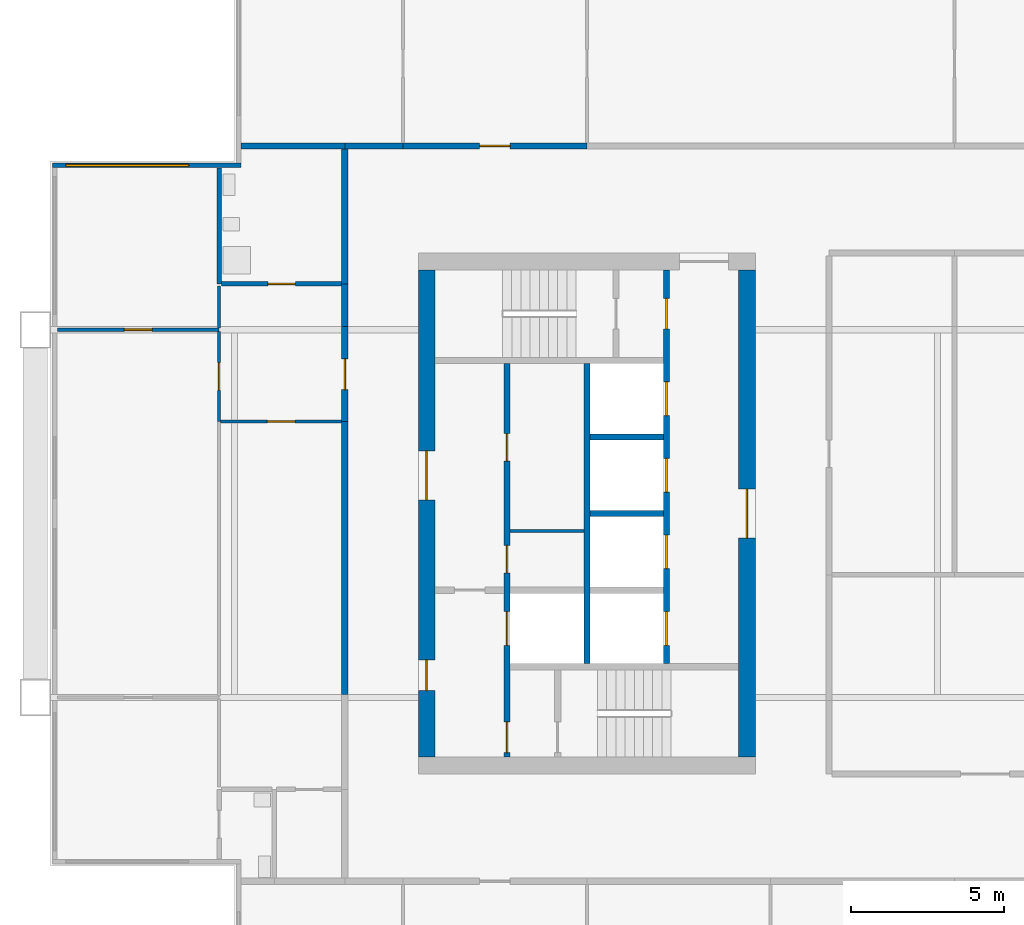
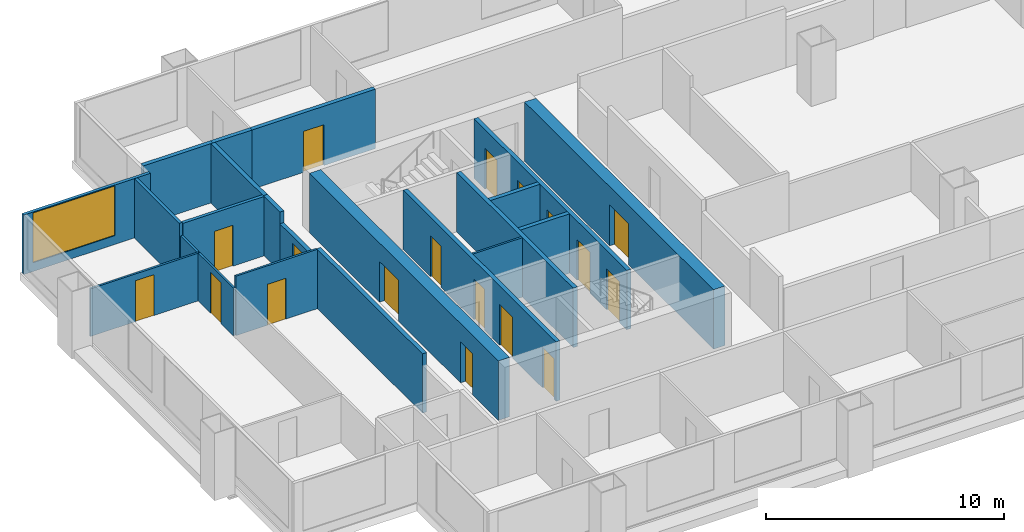
# One storey, part 3 of 8: 22 walls, 18 doors, 1 window, 19 openings.
"""IFC4 building model written with IfcOpenShell, lengths in metres."""

from ifc_helpers import new_model, si_unit, direction, frame, frame_2d, origin, place, context, subcontext, project, spatial, rectangle, extrude, material, layer, layer_set, type_object, element, fill, save


model = new_model("IFC4")

# Units and contexts
model_context = context("Model", 3, precision=1e-05, world=origin(), true_north=direction((0.0, 1.0)))
body_context = subcontext(model_context, "Body", "Model", "MODEL_VIEW")
ifc_project = project(units=[si_unit("LENGTHUNIT", "METRE"), si_unit("AREAUNIT", "SQUARE_METRE"), si_unit("VOLUMEUNIT", "CUBIC_METRE"), si_unit("PLANEANGLEUNIT", "RADIAN"), si_unit("MASSUNIT", "GRAM", prefix="KILO")], contexts=[model_context])

# Site, building, storey
site_placement = place(None, origin())
site = spatial("IfcSite", under=ifc_project, at=site_placement, CompositionType="ELEMENT")
building_placement = place(site_placement, origin())
building = spatial("IfcBuilding", under=site, at=building_placement, Name="Kitamizu Gate Tower and Museum", CompositionType="ELEMENT")
storey_placement = place(building_placement, frame((0.0, 0.0, 189.300048828125)))
storey = spatial("IfcBuildingStorey", under=building, at=storey_placement, Name="L50", CompositionType="ELEMENT", Elevation=189.300048828125)

# Wall, openings, doors
ifc_material_1 = material(Name="Concrete Fc42", Category="concrete")
ifc_layer_1 = layer(ifc_material_1, 0.550048828125)
ifc_layer_set_1 = layer_set([ifc_layer_1], Name="Concrete Fc42")
wall_type_1 = type_object("IfcWallType", Name="Core wall 550", PredefinedType="SHEAR", material=ifc_layer_set_1)
wall_1_placement = place(storey_placement, frame((12.77490234375, 22.050048828125, 0.0), z_axis=(0.0, 0.0, 1.0), x_axis=(0.0, 1.0, 0.0)))
wall_1 = element("IfcWall", 1, at=wall_1_placement, inside=storey, type_object=wall_type_1, Name="Core wall WOUT", PredefinedType="SHEAR", context=body_context, shape_type="SweptSolid", body=[
    extrude(rectangle(XDim=15.89990234375, YDim=0.550048828125, at=frame_2d((7.949951171875, 0.0))), origin(), (0.0, 0.0, 1.0), 3.050048828125),
])
opening_1_placement = place(wall_1_placement, frame((8.39990234375, 0.0, 0.0)))
opening_1 = element("IfcOpeningElement", 2, at=opening_1_placement, cuts=wall_1, Name="Opening L50-035", PredefinedType="OPENING", context=body_context, shape_type="SweptSolid", body=[
    extrude(rectangle(XDim=1.60009765625, YDim=2.10009765625, at=frame_2d((0.800048828125, 1.050048828125))), frame((0.0, 0.28515625, 0.0), z_axis=(0.0, -1.0, 0.0), x_axis=(1.0, 0.0, 0.0)), (0.0, 0.0, 1.0), 0.570068359375),
])
opening_2_placement = place(wall_1_placement, frame((2.175048828125, 0.0, 0.0)))
opening_2 = element("IfcOpeningElement", 3, at=opening_2_placement, cuts=wall_1, Name="Opening L50-036", PredefinedType="OPENING", context=body_context, shape_type="SweptSolid", body=[
    extrude(rectangle(XDim=1.0, YDim=2.10009765625, at=frame_2d((0.5, 1.050048828125))), frame((0.0, 0.28515625, 0.0), z_axis=(0.0, -1.0, 0.0), x_axis=(1.0, 0.0, 0.0)), (0.0, 0.0, 1.0), 0.570068359375),
])
ifc_material_2 = material(Name="Timber door set", Category="wood")
door_type_1 = type_object("IfcDoorType", Name="Entrance door 1600", OperationType="DOUBLE_DOOR_SINGLE_SWING", PredefinedType="DOOR", material=ifc_material_2)
door_1_placement = place(opening_1_placement, origin())
door_1 = element("IfcDoor", 4, at=door_1_placement, inside=storey, type_object=door_type_1, Name="Lobby door L50-035", OperationType="DOUBLE_DOOR_SINGLE_SWING", OverallHeight=2.10009765625, OverallWidth=1.60009765625, PredefinedType="DOOR", context=body_context, shape_type="SweptSolid", body=[
    extrude(rectangle(XDim=1.60009765625, YDim=2.10009765625, at=frame_2d((0.800048828125, 1.050048828125))), frame((0.0, 0.02490234375, 0.0), z_axis=(0.0, -1.0, 0.0), x_axis=(1.0, 0.0, 0.0)), (0.0, 0.0, 1.0), 0.050048828125),
])
fill(opening_1, door_1)
ifc_material_3 = material(Name="Hollow metal door set")
door_type_2 = type_object("IfcDoorType", Name="Fire door 1000", OperationType="NOTDEFINED", PredefinedType="DOOR", material=ifc_material_3)
door_2_placement = place(opening_2_placement, frame((1.0, 0.0, 0.0), x_axis=(-1.0, 0.0, 0.0)))
door_2 = element("IfcDoor", 5, at=door_2_placement, inside=storey, type_object=door_type_2, Name="Fire-fighting lobby door L50-036", OperationType="SINGLE_SWING_LEFT", OverallHeight=2.10009765625, OverallWidth=1.0, PredefinedType="DOOR", context=body_context, shape_type="SweptSolid", body=[
    extrude(rectangle(XDim=1.0, YDim=2.10009765625, at=frame_2d((0.5, 1.050048828125))), frame((0.0, 0.02490234375, 0.0), z_axis=(0.0, -1.0, 0.0), x_axis=(1.0, 0.0, 0.0)), (0.0, 0.0, 1.0), 0.050048828125),
])
fill(opening_2, door_2)

# Wall, opening, door
wall_2_placement = place(storey_placement, frame((23.22509765625, 22.050048828125, 0.0), z_axis=(0.0, 0.0, 1.0), x_axis=(0.0, 1.0, 0.0)))
wall_2 = element("IfcWall", 6, at=wall_2_placement, inside=storey, type_object=wall_type_1, Name="Core wall WARC", PredefinedType="SHEAR", context=body_context, shape_type="SweptSolid", body=[
    extrude(rectangle(XDim=15.89990234375, YDim=0.550048828125, at=frame_2d((7.949951171875, 0.0))), origin(), (0.0, 0.0, 1.0), 3.050048828125),
])
opening_3_placement = place(wall_2_placement, frame((7.14990234375, 0.0, 0.0)))
opening_3 = element("IfcOpeningElement", 7, at=opening_3_placement, cuts=wall_2, Name="Opening L50-038", PredefinedType="OPENING", context=body_context, shape_type="SweptSolid", body=[
    extrude(rectangle(XDim=1.60009765625, YDim=2.10009765625, at=frame_2d((0.800048828125, 1.050048828125))), frame((0.0, 0.28515625, 0.0), z_axis=(0.0, -1.0, 0.0), x_axis=(1.0, 0.0, 0.0)), (0.0, 0.0, 1.0), 0.570068359375),
])
door_3_placement = place(opening_3_placement, origin())
door_3 = element("IfcDoor", 8, at=door_3_placement, inside=storey, type_object=door_type_1, Name="Lobby door L50-038", OperationType="DOUBLE_DOOR_SINGLE_SWING", OverallHeight=2.10009765625, OverallWidth=1.60009765625, PredefinedType="DOOR", context=body_context, shape_type="SweptSolid", body=[
    extrude(rectangle(XDim=1.60009765625, YDim=2.10009765625, at=frame_2d((0.800048828125, 1.050048828125))), frame((0.0, 0.02490234375, 0.0), z_axis=(0.0, -1.0, 0.0), x_axis=(1.0, 0.0, 0.0)), (0.0, 0.0, 1.0), 0.050048828125),
])
fill(opening_3, door_3)

# Wall
ifc_material_4 = material(Name="Gypsum board on galvanised stud")
ifc_layer_2 = layer(ifc_material_4, 0.10009765625)
ifc_layer_set_2 = layer_set([ifc_layer_2], Name="Gypsum board on galvanised stud")
wall_type_2 = type_object("IfcWallType", Name="Partition 100", PredefinedType="PARTITIONING", material=ifc_layer_set_2)
wall_3_placement = place(storey_placement, frame((15.5, 29.425048828125, 0.0), z_axis=(0.0, 0.0, 1.0), x_axis=(1.0, 0.0, 0.0)))
element("IfcWall", 9, at=wall_3_placement, inside=storey, type_object=wall_type_2, Name="Partition WPF1", PredefinedType="PARTITIONING", context=body_context, shape_type="SweptSolid", body=[
    extrude(rectangle(XDim=2.39990234375, YDim=0.10009765625, at=frame_2d((1.199951171875, 0.0))), origin(), (0.0, 0.0, 1.0), 3.050048828125),
])

# Wall, opening, door
ifc_material_5 = material(Name="Gypsum board on galvanised stud")
ifc_layer_3 = layer(ifc_material_5, 0.10009765625)
ifc_layer_set_3 = layer_set([ifc_layer_3], Name="Gypsum board on galvanised stud")
wall_type_3 = type_object("IfcWallType", Name="Partition 100 NOT RATED", PredefinedType="PARTITIONING", material=ifc_layer_set_3)
wall_4_placement = place(storey_placement, frame((6.0, 36.0, 0.0), z_axis=(0.0, 0.0, 1.0), x_axis=(-1.0, 0.0, 0.0)))
wall_4 = element("IfcWall", 10, at=wall_4_placement, inside=storey, type_object=wall_type_3, Name="Partition L50-041", PredefinedType="PARTITIONING", context=body_context, shape_type="SweptSolid", body=[
    extrude(rectangle(XDim=5.280029296875, YDim=0.10009765625, at=frame_2d((2.64013671875, 0.0))), origin(), (0.0, 0.0, 1.0), 2.449951171875),
])
opening_4_placement = place(wall_4_placement, frame((2.18994140625, 0.0, 0.0)))
opening_4 = element("IfcOpeningElement", 11, at=opening_4_placement, cuts=wall_4, Name="Opening L50-021", PredefinedType="OPENING", context=body_context, shape_type="SweptSolid", body=[
    extrude(rectangle(XDim=0.89990234375, YDim=2.10009765625, at=frame_2d((0.449951171875, 1.050048828125))), frame((0.0, 0.06005859375, 0.0), z_axis=(0.0, -1.0, 0.0), x_axis=(1.0, 0.0, 0.0)), (0.0, 0.0, 1.0), 0.1201171875),
])
ifc_material_6 = material(Name="Timber door set", Category="wood")
door_type_3 = type_object("IfcDoorType", Name="Room door 900", OperationType="NOTDEFINED", PredefinedType="DOOR", material=ifc_material_6)
door_4_placement = place(opening_4_placement, frame((0.89990234375, 0.0, 0.0), x_axis=(-1.0, 0.0, 0.0)))
door_4 = element("IfcDoor", 12, at=door_4_placement, inside=storey, type_object=door_type_3, Name="Door L50-021", OperationType="SINGLE_SWING_LEFT", OverallHeight=2.10009765625, OverallWidth=0.89990234375, PredefinedType="DOOR", context=body_context, shape_type="SweptSolid", body=[
    extrude(rectangle(XDim=0.89990234375, YDim=2.10009765625, at=frame_2d((0.449951171875, 1.050048828125))), frame((0.0, 0.02490234375, 0.0), z_axis=(0.0, -1.0, 0.0), x_axis=(1.0, 0.0, 0.0)), (0.0, 0.0, 1.0), 0.050048828125),
])
fill(opening_4, door_4)

wall_5_placement = place(storey_placement, frame((6.0, 33.0, 0.0), z_axis=(0.0, 0.0, 1.0), x_axis=(0.0, 1.0, 0.0)))
wall_5 = element("IfcWall", 13, at=wall_5_placement, inside=storey, type_object=wall_type_3, Name="Partition L50-043", PredefinedType="PARTITIONING", context=body_context, shape_type="SweptSolid", body=[
    extrude(rectangle(XDim=2.949951171875, YDim=0.10009765625, at=frame_2d((1.47509765625, 0.0))), origin(), (0.0, 0.0, 1.0), 2.449951171875),
])
opening_5_placement = place(wall_5_placement, frame((1.02490234375, 0.0, 0.0)))
opening_5 = element("IfcOpeningElement", 14, at=opening_5_placement, cuts=wall_5, Name="Opening L50-017", PredefinedType="OPENING", context=body_context, shape_type="SweptSolid", body=[
    extrude(rectangle(XDim=0.89990234375, YDim=2.10009765625, at=frame_2d((0.449951171875, 1.050048828125))), frame((0.0, 0.06005859375, 0.0), z_axis=(0.0, -1.0, 0.0), x_axis=(1.0, 0.0, 0.0)), (0.0, 0.0, 1.0), 0.1201171875),
])
door_5_placement = place(opening_5_placement, origin())
door_5 = element("IfcDoor", 15, at=door_5_placement, inside=storey, type_object=door_type_3, Name="Door L50-017", OperationType="SINGLE_SWING_LEFT", OverallHeight=2.10009765625, OverallWidth=0.89990234375, PredefinedType="DOOR", context=body_context, shape_type="SweptSolid", body=[
    extrude(rectangle(XDim=0.89990234375, YDim=2.10009765625, at=frame_2d((0.449951171875, 1.050048828125))), frame((0.0, 0.02490234375, 0.0), z_axis=(0.0, -1.0, 0.0), x_axis=(1.0, 0.0, 0.0)), (0.0, 0.0, 1.0), 0.050048828125),
])
fill(opening_5, door_5)

# Wall
wall_6_placement = place(storey_placement, frame((6.0, 36.050048828125, 0.0), z_axis=(0.0, 0.0, 1.0), x_axis=(0.0, 1.0, 0.0)))
element("IfcWall", 16, at=wall_6_placement, inside=storey, type_object=wall_type_3, Name="Partition L50-044", PredefinedType="PARTITIONING", context=body_context, shape_type="SweptSolid", body=[
    extrude(rectangle(XDim=1.375, YDim=0.10009765625, at=frame_2d((0.6875, 0.0))), origin(), (0.0, 0.0, 1.0), 2.449951171875),
])

# Wall, opening, door
wall_7_placement = place(storey_placement, frame((10.0, 33.0, 0.0), z_axis=(0.0, 0.0, 1.0), x_axis=(-1.0, 0.0, 0.0)))
wall_7 = element("IfcWall", 17, at=wall_7_placement, inside=storey, type_object=wall_type_3, Name="Partition L50-050", PredefinedType="PARTITIONING", context=body_context, shape_type="SweptSolid", body=[
    extrude(rectangle(XDim=3.949951171875, YDim=0.10009765625, at=frame_2d((1.97509765625, 0.0))), origin(), (0.0, 0.0, 1.0), 3.050048828125),
])
opening_6_placement = place(wall_7_placement, frame((1.52490234375, 0.0, 0.0)))
opening_6 = element("IfcOpeningElement", 18, at=opening_6_placement, cuts=wall_7, Name="Opening L50-018", PredefinedType="OPENING", context=body_context, shape_type="SweptSolid", body=[
    extrude(rectangle(XDim=0.89990234375, YDim=2.10009765625, at=frame_2d((0.449951171875, 1.050048828125))), frame((0.0, 0.06005859375, 0.0), z_axis=(0.0, -1.0, 0.0), x_axis=(1.0, 0.0, 0.0)), (0.0, 0.0, 1.0), 0.1201171875),
])
door_6_placement = place(opening_6_placement, frame((0.89990234375, 0.0, 0.0), x_axis=(-1.0, 0.0, 0.0)))
door_6 = element("IfcDoor", 19, at=door_6_placement, inside=storey, type_object=door_type_3, Name="Door L50-018", OperationType="SINGLE_SWING_RIGHT", OverallHeight=2.10009765625, OverallWidth=0.89990234375, PredefinedType="DOOR", context=body_context, shape_type="SweptSolid", body=[
    extrude(rectangle(XDim=0.89990234375, YDim=2.10009765625, at=frame_2d((0.449951171875, 1.050048828125))), frame((0.0, 0.02490234375, 0.0), z_axis=(0.0, -1.0, 0.0), x_axis=(1.0, 0.0, 0.0)), (0.0, 0.0, 1.0), 0.050048828125),
])
fill(opening_6, door_6)

# Wall
ifc_material_7 = material(Name="Gypsum board on galvanised stud")
ifc_layer_4 = layer(ifc_material_7, 0.14990234375)
ifc_layer_set_4 = layer_set([ifc_layer_4], Name="Gypsum board on galvanised stud")
wall_type_4 = type_object("IfcWallType", Name="Partition 150", PredefinedType="PARTITIONING", material=ifc_layer_set_4)
wall_8_placement = place(storey_placement, frame((6.0, 37.5, 0.0), z_axis=(0.0, 0.0, 1.0), x_axis=(0.0, 1.0, 0.0)))
element("IfcWall", 20, at=wall_8_placement, inside=storey, type_object=wall_type_4, Name="Partition L50-045", PredefinedType="PARTITIONING", context=body_context, shape_type="SweptSolid", body=[
    extrude(rectangle(XDim=3.780029296875, YDim=0.14990234375, at=frame_2d((1.89013671875, 0.0))), origin(), (0.0, 0.0, 1.0), 3.050048828125),
])

# Wall, opening, door
wall_9_placement = place(storey_placement, frame((10.0, 37.5, 0.0), z_axis=(0.0, 0.0, 1.0), x_axis=(-1.0, 0.0, 0.0)))
wall_9 = element("IfcWall", 21, at=wall_9_placement, inside=storey, type_object=wall_type_4, Name="Partition L50-053", PredefinedType="PARTITIONING", context=body_context, shape_type="SweptSolid", body=[
    extrude(rectangle(XDim=3.925048828125, YDim=0.14990234375, at=frame_2d((1.96240234375, 0.0))), origin(), (0.0, 0.0, 1.0), 3.050048828125),
])
opening_7_placement = place(wall_9_placement, frame((1.512451171875, 0.0, 0.0)))
opening_7 = element("IfcOpeningElement", 22, at=opening_7_placement, cuts=wall_9, Name="Opening L50-020", PredefinedType="OPENING", context=body_context, shape_type="SweptSolid", body=[
    extrude(rectangle(XDim=0.89990234375, YDim=2.10009765625, at=frame_2d((0.449951171875, 1.050048828125))), frame((0.0, 0.0849609375, 0.0), z_axis=(0.0, -1.0, 0.0), x_axis=(1.0, 0.0, 0.0)), (0.0, 0.0, 1.0), 0.169921875),
])
ifc_material_8 = material(Name="Timber door set", Category="wood")
door_type_4 = type_object("IfcDoorType", Name="Bathroom door 900", OperationType="NOTDEFINED", PredefinedType="DOOR", material=ifc_material_8)
door_7_placement = place(opening_7_placement, frame((0.89990234375, 0.0, 0.0), x_axis=(-1.0, 0.0, 0.0)))
door_7 = element("IfcDoor", 23, at=door_7_placement, inside=storey, type_object=door_type_4, Name="Bathroom door L50-020", OperationType="SINGLE_SWING_RIGHT", OverallHeight=2.10009765625, OverallWidth=0.89990234375, PredefinedType="DOOR", context=body_context, shape_type="SweptSolid", body=[
    extrude(rectangle(XDim=0.89990234375, YDim=2.10009765625, at=frame_2d((0.449951171875, 1.050048828125))), frame((0.0, 0.02490234375, 0.0), z_axis=(0.0, -1.0, 0.0), x_axis=(1.0, 0.0, 0.0)), (0.0, 0.0, 1.0), 0.050048828125),
])
fill(opening_7, door_7)

# Walls
ifc_material_9 = material(Name="Gypsum board on galvanised stud")
ifc_layer_5 = layer(ifc_material_9, 0.199951171875)
ifc_layer_set_5 = layer_set([ifc_layer_5], Name="Gypsum board on galvanised stud")
wall_type_5 = type_object("IfcWallType", Name="Partition 200", PredefinedType="PARTITIONING", material=ifc_layer_set_5)
wall_10_placement = place(storey_placement, frame((6.719970703125, 42.0, 0.0), z_axis=(0.0, 0.0, 1.0), x_axis=(1.0, 0.0, 0.0)))
element("IfcWall", 24, at=wall_10_placement, inside=storey, type_object=wall_type_5, Name="Partition L50-024", PredefinedType="PARTITIONING", context=body_context, shape_type="SweptSolid", body=[
    extrude(rectangle(XDim=3.380126953125, YDim=0.199951171875, at=frame_2d((1.68994140625, 0.0))), origin(), (0.0, 0.0, 1.0), 3.050048828125),
])
wall_11_placement = place(storey_placement, frame((10.10009765625, 42.0, 0.0), z_axis=(0.0, 0.0, 1.0), x_axis=(1.0, 0.0, 0.0)))
element("IfcWall", 25, at=wall_11_placement, inside=storey, type_object=wall_type_5, Name="Partition L50-025", PredefinedType="PARTITIONING", context=body_context, shape_type="SweptSolid", body=[
    extrude(rectangle(XDim=1.89990234375, YDim=0.199951171875, at=frame_2d((0.949951171875, 0.0))), origin(), (0.0, 0.0, 1.0), 3.050048828125),
])

# Wall, opening, door
wall_12_placement = place(storey_placement, frame((12.0, 42.0, 0.0), z_axis=(0.0, 0.0, 1.0), x_axis=(1.0, 0.0, 0.0)))
wall_12 = element("IfcWall", 26, at=wall_12_placement, inside=storey, type_object=wall_type_5, Name="Partition L50-027", PredefinedType="PARTITIONING", context=body_context, shape_type="SweptSolid", body=[
    extrude(rectangle(XDim=6.0, YDim=0.199951171875, at=frame_2d((3.0, 0.0))), origin(), (0.0, 0.0, 1.0), 3.050048828125),
])
opening_8_placement = place(wall_12_placement, frame((2.5, 0.0, 0.0)))
opening_8 = element("IfcOpeningElement", 27, at=opening_8_placement, cuts=wall_12, Name="Opening L50-010", PredefinedType="OPENING", context=body_context, shape_type="SweptSolid", body=[
    extrude(rectangle(XDim=1.0, YDim=2.10009765625, at=frame_2d((0.5, 1.050048828125))), frame((0.0, 0.10986328125, 0.0), z_axis=(0.0, -1.0, 0.0), x_axis=(1.0, 0.0, 0.0)), (0.0, 0.0, 1.0), 0.219970703125),
])
ifc_material_10 = material(Name="Timber door set", Category="wood")
door_type_5 = type_object("IfcDoorType", Name="Flat entrance door 1000", OperationType="NOTDEFINED", PredefinedType="DOOR", material=ifc_material_10)
door_8_placement = place(opening_8_placement, origin())
door_8 = element("IfcDoor", 28, at=door_8_placement, inside=storey, type_object=door_type_5, Name="Flat entrance door L50-010", OperationType="SINGLE_SWING_LEFT", OverallHeight=2.10009765625, OverallWidth=1.0, PredefinedType="DOOR", context=body_context, shape_type="SweptSolid", body=[
    extrude(rectangle(XDim=1.0, YDim=2.10009765625, at=frame_2d((0.5, 1.050048828125))), frame((0.0, 0.02490234375, 0.0), z_axis=(0.0, -1.0, 0.0), x_axis=(1.0, 0.0, 0.0)), (0.0, 0.0, 1.0), 0.050048828125),
])
fill(opening_8, door_8)

# Wall
wall_13_placement = place(storey_placement, frame((10.10009765625, 24.10009765625, 0.0), z_axis=(0.0, 0.0, 1.0), x_axis=(0.0, 1.0, 0.0)))
element("IfcWall", 29, at=wall_13_placement, inside=storey, type_object=wall_type_5, Name="Partition L50-052", PredefinedType="PARTITIONING", context=body_context, shape_type="SweptSolid", body=[
    extrude(rectangle(XDim=8.89990234375, YDim=0.199951171875, at=frame_2d((4.449951171875, 0.0))), origin(), (0.0, 0.0, 1.0), 3.050048828125),
])

# Wall, opening, door
wall_14_placement = place(storey_placement, frame((10.10009765625, 33.0, 0.0), z_axis=(0.0, 0.0, 1.0), x_axis=(0.0, 1.0, 0.0)))
wall_14 = element("IfcWall", 30, at=wall_14_placement, inside=storey, type_object=wall_type_5, Name="Partition L50-054", PredefinedType="PARTITIONING", context=body_context, shape_type="SweptSolid", body=[
    extrude(rectangle(XDim=3.10009765625, YDim=0.199951171875, at=frame_2d((1.550048828125, 0.0))), origin(), (0.0, 0.0, 1.0), 2.449951171875),
])
opening_9_placement = place(wall_14_placement, frame((1.050048828125, 0.0, 0.0)))
opening_9 = element("IfcOpeningElement", 31, at=opening_9_placement, cuts=wall_14, Name="Opening L50-016", PredefinedType="OPENING", context=body_context, shape_type="SweptSolid", body=[
    extrude(rectangle(XDim=1.0, YDim=2.10009765625, at=frame_2d((0.5, 1.050048828125))), frame((0.0, 0.10986328125, 0.0), z_axis=(0.0, -1.0, 0.0), x_axis=(1.0, 0.0, 0.0)), (0.0, 0.0, 1.0), 0.219970703125),
])
door_9_placement = place(opening_9_placement, origin())
door_9 = element("IfcDoor", 32, at=door_9_placement, inside=storey, type_object=door_type_5, Name="Flat entrance door L50-016", OperationType="SINGLE_SWING_RIGHT", OverallHeight=2.10009765625, OverallWidth=1.0, PredefinedType="DOOR", context=body_context, shape_type="SweptSolid", body=[
    extrude(rectangle(XDim=1.0, YDim=2.10009765625, at=frame_2d((0.5, 1.050048828125))), frame((0.0, 0.02490234375, 0.0), z_axis=(0.0, -1.0, 0.0), x_axis=(1.0, 0.0, 0.0)), (0.0, 0.0, 1.0), 0.050048828125),
])
fill(opening_9, door_9)

# Walls
wall_15_placement = place(storey_placement, frame((10.10009765625, 36.10009765625, 0.0), z_axis=(0.0, 0.0, 1.0), x_axis=(0.0, 1.0, 0.0)))
element("IfcWall", 33, at=wall_15_placement, inside=storey, type_object=wall_type_5, Name="Partition L50-055", PredefinedType="PARTITIONING", context=body_context, shape_type="SweptSolid", body=[
    extrude(rectangle(XDim=1.39990234375, YDim=0.199951171875, at=frame_2d((0.699951171875, 0.0))), origin(), (0.0, 0.0, 1.0), 3.050048828125),
])
wall_16_placement = place(storey_placement, frame((10.10009765625, 37.5, 0.0), z_axis=(0.0, 0.0, 1.0), x_axis=(0.0, 1.0, 0.0)))
element("IfcWall", 34, at=wall_16_placement, inside=storey, type_object=wall_type_5, Name="Partition L50-056", PredefinedType="PARTITIONING", context=body_context, shape_type="SweptSolid", body=[
    extrude(rectangle(XDim=4.39990234375, YDim=0.199951171875, at=frame_2d((2.199951171875, 0.0))), origin(), (0.0, 0.0, 1.0), 3.050048828125),
])

# Wall, openings, doors
ifc_material_11 = material(Name="Concrete Fc42", Category="concrete")
ifc_layer_6 = layer(ifc_material_11, 0.199951171875)
ifc_layer_set_6 = layer_set([ifc_layer_6], Name="Concrete Fc42")
wall_type_6 = type_object("IfcWallType", Name="Shaft wall 200", PredefinedType="SOLIDWALL", material=ifc_layer_set_6)
wall_17_placement = place(storey_placement, frame((15.39990234375, 22.050048828125, 0.0), z_axis=(0.0, 0.0, 1.0), x_axis=(0.0, 1.0, 0.0)))
wall_17 = element("IfcWall", 35, at=wall_17_placement, inside=storey, type_object=wall_type_6, Name="Shaft wall WWEST", PredefinedType="SOLIDWALL", context=body_context, shape_type="SweptSolid", body=[
    extrude(rectangle(XDim=12.849853515625, YDim=0.199951171875, at=frame_2d((6.4248046875, 0.0))), origin(), (0.0, 0.0, 1.0), 3.050048828125),
])
opening_10_placement = place(wall_17_placement, frame((3.64990234375, 0.0, 0.0)))
opening_10 = element("IfcOpeningElement", 36, at=opening_10_placement, cuts=wall_17, Name="Opening LD", PredefinedType="OPENING", context=body_context, shape_type="SweptSolid", body=[
    extrude(rectangle(XDim=1.10009765625, YDim=2.10009765625, at=frame_2d((0.550048828125, 1.050048828125))), frame((0.0, 0.10986328125, 0.0), z_axis=(0.0, -1.0, 0.0), x_axis=(1.0, 0.0, 0.0)), (0.0, 0.0, 1.0), 0.219970703125),
])
opening_11_placement = place(wall_17_placement, frame((0.14990234375, 0.0, 0.0)))
opening_11 = element("IfcOpeningElement", 37, at=opening_11_placement, cuts=wall_17, Name="Opening L50-031", PredefinedType="OPENING", context=body_context, shape_type="SweptSolid", body=[
    extrude(rectangle(XDim=1.0, YDim=2.10009765625, at=frame_2d((0.5, 1.050048828125))), frame((0.0, 0.10986328125, 0.0), z_axis=(0.0, -1.0, 0.0), x_axis=(1.0, 0.0, 0.0)), (0.0, 0.0, 1.0), 0.219970703125),
])
opening_12_placement = place(wall_17_placement, frame((6.012451171875, 0.0, 0.0)))
opening_12 = element("IfcOpeningElement", 38, at=opening_12_placement, cuts=wall_17, Name="Opening L50-039", PredefinedType="OPENING", context=body_context, shape_type="SweptSolid", body=[
    extrude(rectangle(XDim=0.89990234375, YDim=2.10009765625, at=frame_2d((0.449951171875, 1.050048828125))), frame((0.0, 0.10986328125, 0.0), z_axis=(0.0, -1.0, 0.0), x_axis=(1.0, 0.0, 0.0)), (0.0, 0.0, 1.0), 0.219970703125),
])
opening_13_placement = place(wall_17_placement, frame((9.66259765625, 0.0, 0.0)))
opening_13 = element("IfcOpeningElement", 39, at=opening_13_placement, cuts=wall_17, Name="Opening L50-040", PredefinedType="OPENING", context=body_context, shape_type="SweptSolid", body=[
    extrude(rectangle(XDim=0.89990234375, YDim=2.10009765625, at=frame_2d((0.449951171875, 1.050048828125))), frame((0.0, 0.10986328125, 0.0), z_axis=(0.0, -1.0, 0.0), x_axis=(1.0, 0.0, 0.0)), (0.0, 0.0, 1.0), 0.219970703125),
])
door_10_placement = place(opening_11_placement, frame((1.0, 0.0, 0.0), x_axis=(-1.0, 0.0, 0.0)))
door_10 = element("IfcDoor", 40, at=door_10_placement, inside=storey, type_object=door_type_2, Name="Stair lobby door L50-031", OperationType="SINGLE_SWING_LEFT", OverallHeight=2.10009765625, OverallWidth=1.0, PredefinedType="DOOR", context=body_context, shape_type="SweptSolid", body=[
    extrude(rectangle(XDim=1.0, YDim=2.10009765625, at=frame_2d((0.5, 1.050048828125))), frame((0.0, 0.02490234375, 0.0), z_axis=(0.0, -1.0, 0.0), x_axis=(1.0, 0.0, 0.0)), (0.0, 0.0, 1.0), 0.050048828125),
])
fill(opening_11, door_10)
ifc_material_12 = material(Name="Hollow metal door set")
door_type_6 = type_object("IfcDoorType", Name="Landing door 1100", OperationType="SLIDING_TO_LEFT", PredefinedType="DOOR", material=ifc_material_12)
door_11_placement = place(opening_10_placement, origin())
door_11 = element("IfcDoor", 41, at=door_11_placement, inside=storey, type_object=door_type_6, Name="Landing door WFF1", OperationType="SLIDING_TO_LEFT", OverallHeight=2.10009765625, OverallWidth=1.10009765625, PredefinedType="DOOR", context=body_context, shape_type="SweptSolid", body=[
    extrude(rectangle(XDim=1.10009765625, YDim=2.10009765625, at=frame_2d((0.550048828125, 1.050048828125))), frame((0.0, 0.02490234375, 0.0), z_axis=(0.0, -1.0, 0.0), x_axis=(1.0, 0.0, 0.0)), (0.0, 0.0, 1.0), 0.050048828125),
])
fill(opening_10, door_11)
ifc_material_13 = material(Name="Timber door set", Category="wood")
door_type_7 = type_object("IfcDoorType", Name="Service door 900", OperationType="NOTDEFINED", PredefinedType="DOOR", material=ifc_material_13)
door_12_placement = place(opening_12_placement, frame((0.89990234375, 0.0, 0.0), x_axis=(-1.0, 0.0, 0.0)))
door_12 = element("IfcDoor", 42, at=door_12_placement, inside=storey, type_object=door_type_7, Name="Service door L50-039", OperationType="SINGLE_SWING_RIGHT", OverallHeight=2.10009765625, OverallWidth=0.89990234375, PredefinedType="DOOR", context=body_context, shape_type="SweptSolid", body=[
    extrude(rectangle(XDim=0.89990234375, YDim=2.10009765625, at=frame_2d((0.449951171875, 1.050048828125))), frame((0.0, 0.02490234375, 0.0), z_axis=(0.0, -1.0, 0.0), x_axis=(1.0, 0.0, 0.0)), (0.0, 0.0, 1.0), 0.050048828125),
])
fill(opening_12, door_12)
door_13_placement = place(opening_13_placement, frame((0.89990234375, 0.0, 0.0), x_axis=(-1.0, 0.0, 0.0)))
door_13 = element("IfcDoor", 43, at=door_13_placement, inside=storey, type_object=door_type_7, Name="Service door L50-040", OperationType="SINGLE_SWING_LEFT", OverallHeight=2.10009765625, OverallWidth=0.89990234375, PredefinedType="DOOR", context=body_context, shape_type="SweptSolid", body=[
    extrude(rectangle(XDim=0.89990234375, YDim=2.10009765625, at=frame_2d((0.449951171875, 1.050048828125))), frame((0.0, 0.02490234375, 0.0), z_axis=(0.0, -1.0, 0.0), x_axis=(1.0, 0.0, 0.0)), (0.0, 0.0, 1.0), 0.050048828125),
])
fill(opening_13, door_13)

wall_18_placement = place(storey_placement, frame((20.60009765625, 25.10009765625, 0.0), z_axis=(0.0, 0.0, 1.0), x_axis=(0.0, 1.0, 0.0)))
wall_18 = element("IfcWall", 44, at=wall_18_placement, inside=storey, type_object=wall_type_6, Name="Shaft wall WEAST", PredefinedType="SOLIDWALL", context=body_context, shape_type="SweptSolid", body=[
    extrude(rectangle(XDim=12.849853515625, YDim=0.199951171875, at=frame_2d((6.4248046875, 0.0))), origin(), (0.0, 0.0, 1.0), 3.050048828125),
])
opening_14_placement = place(wall_18_placement, frame((0.60009765625, 0.0, 0.0)))
opening_14 = element("IfcOpeningElement", 45, at=opening_14_placement, cuts=wall_18, Name="Opening LD", PredefinedType="OPENING", context=body_context, shape_type="SweptSolid", body=[
    extrude(rectangle(XDim=1.10009765625, YDim=2.10009765625, at=frame_2d((0.550048828125, 1.050048828125))), frame((0.0, 0.10986328125, 0.0), z_axis=(0.0, -1.0, 0.0), x_axis=(1.0, 0.0, 0.0)), (0.0, 0.0, 1.0), 0.219970703125),
])
opening_15_placement = place(wall_18_placement, frame((3.10009765625, 0.0, 0.0)))
opening_15 = element("IfcOpeningElement", 46, at=opening_15_placement, cuts=wall_18, Name="Opening LD", PredefinedType="OPENING", context=body_context, shape_type="SweptSolid", body=[
    extrude(rectangle(XDim=1.10009765625, YDim=2.10009765625, at=frame_2d((0.550048828125, 1.050048828125))), frame((0.0, 0.10986328125, 0.0), z_axis=(0.0, -1.0, 0.0), x_axis=(1.0, 0.0, 0.0)), (0.0, 0.0, 1.0), 0.219970703125),
])
opening_16_placement = place(wall_18_placement, frame((5.60009765625, 0.0, 0.0)))
opening_16 = element("IfcOpeningElement", 47, at=opening_16_placement, cuts=wall_18, Name="Opening LD", PredefinedType="OPENING", context=body_context, shape_type="SweptSolid", body=[
    extrude(rectangle(XDim=1.10009765625, YDim=2.10009765625, at=frame_2d((0.550048828125, 1.050048828125))), frame((0.0, 0.10986328125, 0.0), z_axis=(0.0, -1.0, 0.0), x_axis=(1.0, 0.0, 0.0)), (0.0, 0.0, 1.0), 0.219970703125),
])
opening_17_placement = place(wall_18_placement, frame((8.10009765625, 0.0, 0.0)))
opening_17 = element("IfcOpeningElement", 48, at=opening_17_placement, cuts=wall_18, Name="Opening LD", PredefinedType="OPENING", context=body_context, shape_type="SweptSolid", body=[
    extrude(rectangle(XDim=1.10009765625, YDim=2.10009765625, at=frame_2d((0.550048828125, 1.050048828125))), frame((0.0, 0.10986328125, 0.0), z_axis=(0.0, -1.0, 0.0), x_axis=(1.0, 0.0, 0.0)), (0.0, 0.0, 1.0), 0.219970703125),
])
opening_18_placement = place(wall_18_placement, frame((10.925048828125, 0.0, 0.0)))
opening_18 = element("IfcOpeningElement", 49, at=opening_18_placement, cuts=wall_18, Name="Opening L50-032", PredefinedType="OPENING", context=body_context, shape_type="SweptSolid", body=[
    extrude(rectangle(XDim=1.0, YDim=2.10009765625, at=frame_2d((0.5, 1.050048828125))), frame((0.0, 0.10986328125, 0.0), z_axis=(0.0, -1.0, 0.0), x_axis=(1.0, 0.0, 0.0)), (0.0, 0.0, 1.0), 0.219970703125),
])
door_14_placement = place(opening_18_placement, origin())
door_14 = element("IfcDoor", 50, at=door_14_placement, inside=storey, type_object=door_type_2, Name="Stair lobby door L50-032", OperationType="SINGLE_SWING_LEFT", OverallHeight=2.10009765625, OverallWidth=1.0, PredefinedType="DOOR", context=body_context, shape_type="SweptSolid", body=[
    extrude(rectangle(XDim=1.0, YDim=2.10009765625, at=frame_2d((0.5, 1.050048828125))), frame((0.0, 0.02490234375, 0.0), z_axis=(0.0, -1.0, 0.0), x_axis=(1.0, 0.0, 0.0)), (0.0, 0.0, 1.0), 0.050048828125),
])
fill(opening_18, door_14)
door_15_placement = place(opening_14_placement, origin())
door_15 = element("IfcDoor", 51, at=door_15_placement, inside=storey, type_object=door_type_6, Name="Landing door WSV1", OperationType="SLIDING_TO_LEFT", OverallHeight=2.10009765625, OverallWidth=1.10009765625, PredefinedType="DOOR", context=body_context, shape_type="SweptSolid", body=[
    extrude(rectangle(XDim=1.10009765625, YDim=2.10009765625, at=frame_2d((0.550048828125, 1.050048828125))), frame((0.0, 0.02490234375, 0.0), z_axis=(0.0, -1.0, 0.0), x_axis=(1.0, 0.0, 0.0)), (0.0, 0.0, 1.0), 0.050048828125),
])
fill(opening_14, door_15)
door_16_placement = place(opening_15_placement, origin())
door_16 = element("IfcDoor", 52, at=door_16_placement, inside=storey, type_object=door_type_6, Name="Landing door WH1", OperationType="SLIDING_TO_LEFT", OverallHeight=2.10009765625, OverallWidth=1.10009765625, PredefinedType="DOOR", context=body_context, shape_type="SweptSolid", body=[
    extrude(rectangle(XDim=1.10009765625, YDim=2.10009765625, at=frame_2d((0.550048828125, 1.050048828125))), frame((0.0, 0.02490234375, 0.0), z_axis=(0.0, -1.0, 0.0), x_axis=(1.0, 0.0, 0.0)), (0.0, 0.0, 1.0), 0.050048828125),
])
fill(opening_15, door_16)
door_17_placement = place(opening_16_placement, origin())
door_17 = element("IfcDoor", 53, at=door_17_placement, inside=storey, type_object=door_type_6, Name="Landing door WH2", OperationType="SLIDING_TO_LEFT", OverallHeight=2.10009765625, OverallWidth=1.10009765625, PredefinedType="DOOR", context=body_context, shape_type="SweptSolid", body=[
    extrude(rectangle(XDim=1.10009765625, YDim=2.10009765625, at=frame_2d((0.550048828125, 1.050048828125))), frame((0.0, 0.02490234375, 0.0), z_axis=(0.0, -1.0, 0.0), x_axis=(1.0, 0.0, 0.0)), (0.0, 0.0, 1.0), 0.050048828125),
])
fill(opening_16, door_17)
door_18_placement = place(opening_17_placement, origin())
door_18 = element("IfcDoor", 54, at=door_18_placement, inside=storey, type_object=door_type_6, Name="Landing door WH3", OperationType="SLIDING_TO_LEFT", OverallHeight=2.10009765625, OverallWidth=1.10009765625, PredefinedType="DOOR", context=body_context, shape_type="SweptSolid", body=[
    extrude(rectangle(XDim=1.10009765625, YDim=2.10009765625, at=frame_2d((0.550048828125, 1.050048828125))), frame((0.0, 0.02490234375, 0.0), z_axis=(0.0, -1.0, 0.0), x_axis=(1.0, 0.0, 0.0)), (0.0, 0.0, 1.0), 0.050048828125),
])
fill(opening_17, door_18)

# Walls
wall_19_placement = place(storey_placement, frame((18.0, 25.10009765625, 0.0), z_axis=(0.0, 0.0, 1.0), x_axis=(0.0, 1.0, 0.0)))
element("IfcWall", 55, at=wall_19_placement, inside=storey, type_object=wall_type_6, Name="Shaft wall WMID", PredefinedType="SOLIDWALL", context=body_context, shape_type="SweptSolid", body=[
    extrude(rectangle(XDim=9.7998046875, YDim=0.199951171875, at=frame_2d((4.89990234375, 0.0))), origin(), (0.0, 0.0, 1.0), 3.050048828125),
])
for number, where, z_axis, x_axis, name in (
    (56, (18.10009765625, 30.0, 0.0), (0.0, 0.0, 1.0), (1.0, 0.0, 0.0), "Shaft wall WDVE1"),
    (57, (18.10009765625, 32.5, 0.0), (0.0, 0.0, 1.0), (1.0, 0.0, 0.0), "Shaft wall WDVE2"),
):
    element("IfcWall", number, at=place(storey_placement, frame(where, z_axis=z_axis, x_axis=x_axis)), inside=storey, type_object=wall_type_6, Name=name, PredefinedType="SOLIDWALL", context=body_context, shape_type="SweptSolid", body=[
        extrude(rectangle(XDim=2.39990234375, YDim=0.199951171875, at=frame_2d((1.199951171875, 0.0))), origin(), (0.0, 0.0, 1.0), 3.050048828125),
    ])

# Wall, opening, window
ifc_material_14 = material(Name="Bronze anodised aluminium frame with insulated spandrel and tinted glass", Category="aluminium")
ifc_layer_7 = layer(ifc_material_14, 0.14990234375)
ifc_layer_set_7 = layer_set([ifc_layer_7], Name="Bronze anodised aluminium frame with insulated spandrel and tinted glass")
wall_type_7 = type_object("IfcWallType", Name="WINDOW WALL 150 BRONZE FRAME EI 30", PredefinedType="ELEMENTEDWALL", material=ifc_layer_set_7)
wall_20_placement = place(storey_placement, frame((0.56005859375, 41.364990234375, 0.0), z_axis=(0.0, 0.0, 1.0), x_axis=(1.0, 0.0, 0.0)))
wall_20 = element("IfcWall", 58, at=wall_20_placement, inside=storey, type_object=wall_type_7, Name="Window wall north L50", PredefinedType="ELEMENTEDWALL", context=body_context, shape_type="SweptSolid", body=[
    extrude(rectangle(XDim=6.14990234375, YDim=0.14990234375, at=frame_2d((3.074951171875, 0.0))), origin(), (0.0, 0.0, 1.0), 3.050048828125),
])
opening_19_placement = place(wall_20_placement, frame((0.43994140625, 0.0, 0.449951171875)))
opening_19 = element("IfcOpeningElement", 59, at=opening_19_placement, cuts=wall_20, Name="Opening W16", PredefinedType="OPENING", context=body_context, shape_type="SweptSolid", body=[
    extrude(rectangle(XDim=4.0, YDim=2.550048828125, at=frame_2d((2.0, 1.27490234375))), frame((0.0, 0.0849609375, 0.0), z_axis=(0.0, -1.0, 0.0), x_axis=(1.0, 0.0, 0.0)), (0.0, 0.0, 1.0), 0.169921875),
])
ifc_material_15 = material(Name="Bronze anodised aluminium frame, tinted triple glazing", Category="aluminium")
window_type = type_object("IfcWindowType", Name="WINDOW 4000 x 2550 SILL 450", PartitioningType="SINGLE_PANEL", PredefinedType="WINDOW", material=ifc_material_15)
window_placement = place(opening_19_placement, origin())
window = element("IfcWindow", 60, at=window_placement, inside=storey, type_object=window_type, Name="Window W16 L50", OverallHeight=2.550048828125, OverallWidth=4.0, PartitioningType="SINGLE_PANEL", PredefinedType="WINDOW", context=body_context, shape_type="SweptSolid", body=[
    extrude(rectangle(XDim=4.0, YDim=2.550048828125, at=frame_2d((2.0, 1.27490234375))), frame((0.0, 0.030029296875, 0.0), z_axis=(0.0, -1.0, 0.0), x_axis=(1.0, 0.0, 0.0)), (0.0, 0.0, 1.0), 0.06005859375),
])
fill(opening_19, window)

save(model, "model.ifc")
